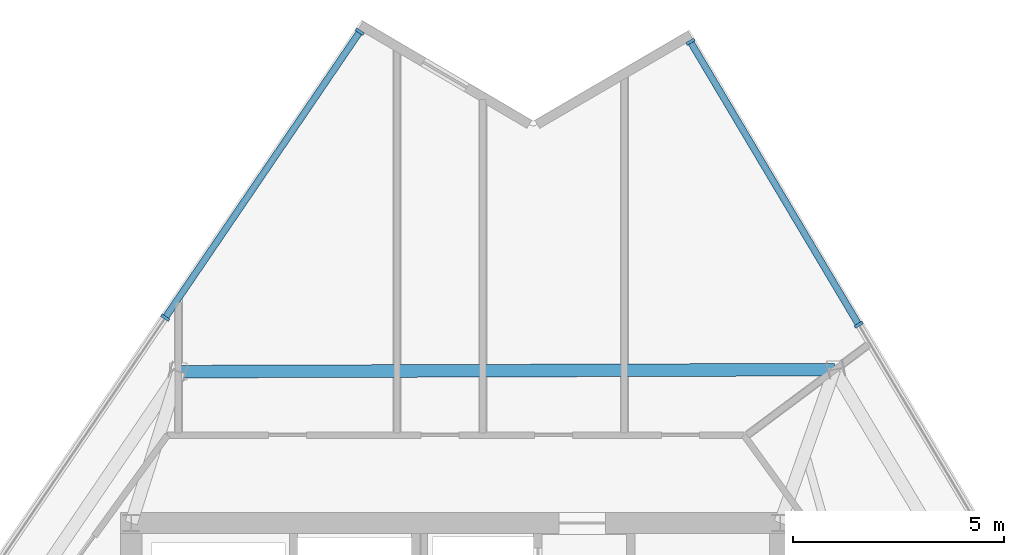
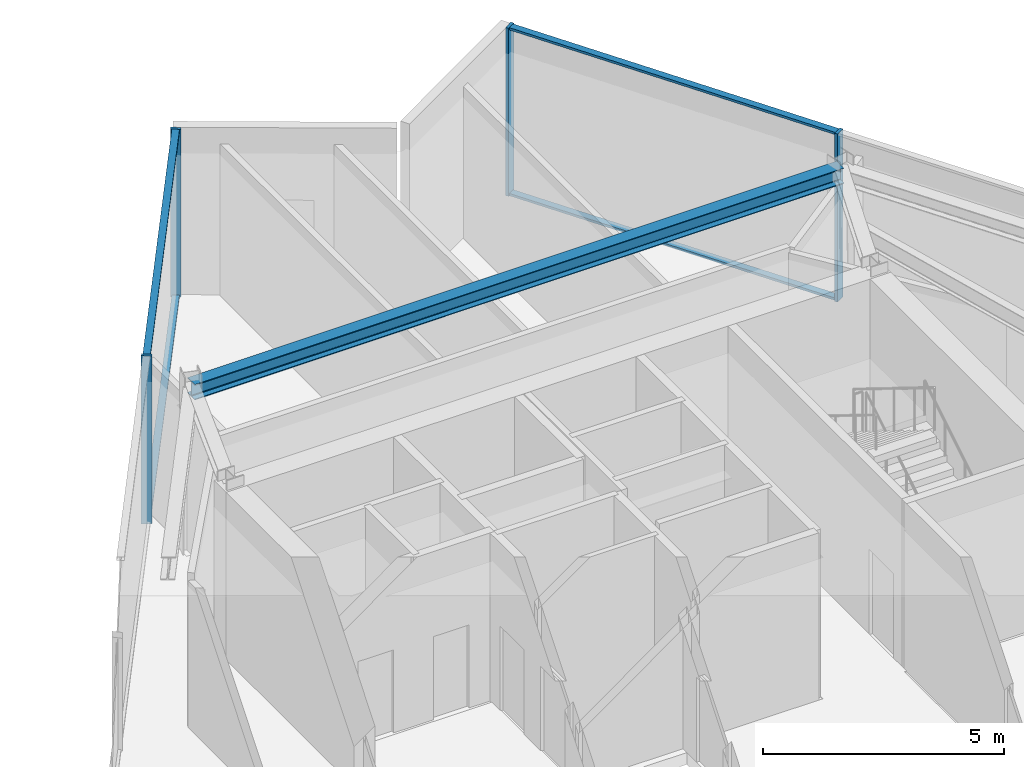
# One storey, part 5 of 13: 8 members, 1 beam, 2 elements without a shape of their own.
"""IFC4 building model written with IfcOpenShell, lengths in metres."""

from ifc_helpers import new_model, si_unit, direction, frame, origin, origin_2d, place, context, subcontext, project, spatial, rectangle, i_section, extrude, material, material_profile, profile_set, type_object, element, aggregate, save


model = new_model("IFC4")

# Units and contexts
model_context = context("Model", 3, precision=1e-05, world=origin(), true_north=direction((0.0, 1.0)))
body_context = subcontext(model_context, "Body", "Model", "MODEL_VIEW")
ifc_project = project(units=[si_unit("LENGTHUNIT", "METRE"), si_unit("AREAUNIT", "SQUARE_METRE"), si_unit("VOLUMEUNIT", "CUBIC_METRE"), si_unit("PLANEANGLEUNIT", "RADIAN"), si_unit("MASSUNIT", "GRAM", prefix="KILO")], contexts=[model_context])

# Site, building, storey
site_placement = place(None, origin())
site = spatial("IfcSite", under=ifc_project, at=site_placement, CompositionType="ELEMENT")
building_placement = place(site_placement, origin())
building = spatial("IfcBuilding", under=site, at=building_placement, Name="Savorim Split Tower", CompositionType="ELEMENT")
storey_placement = place(building_placement, frame((0.0, 0.0, 190.199951171875)))
storey = spatial("IfcBuildingStorey", under=building, at=storey_placement, Name="L50", CompositionType="ELEMENT", Elevation=190.199951171875)

# Beam
ifc_material_1 = material(Name="Steel S355", Category="steel")
ifc_material_profile_1 = material_profile(ifc_material_1, i_section(OverallWidth=0.300048828125, OverallDepth=0.389892578125, WebThickness=0.010986328125, FlangeThickness=0.01904296875, FilletRadius=0.027099609375, at=origin_2d()), Name="HEA 400")
ifc_profile_set_1 = profile_set([ifc_material_profile_1], Name="Steel S355")
beam_type = type_object("IfcBeamType", Name="BM-SPN-HEA400", PredefinedType="SPANDREL", material=ifc_profile_set_1)
beam_placement = place(storey_placement, frame((8.98388671875, 13.83837890625, 4.054931640625), z_axis=(-0.99999507004, -0.003140047007, 0.0), x_axis=(0.003140047007, -0.99999507004, 0.0)))
element("IfcBeam", 1, at=beam_placement, inside=storey, type_object=beam_type, Name="L50 Perimeter Spandrel Beam 7", PredefinedType="SPANDREL", context=body_context, shape_type="SweptSolid", body=[
    extrude(i_section(OverallWidth=0.300048828125, OverallDepth=0.389892578125, WebThickness=0.010986328125, FlangeThickness=0.01904296875, FilletRadius=0.027099609375, at=origin_2d()), origin(), (0.0, 0.0, 1.0), 15.550048828125),
])

# Curtain wall, members
ifc_material_2 = material(Name="Dark Ceramic-Fritted Insulated Glass", Category="glass")
curtain_wall_type = type_object("IfcCurtainWallType", Name="CW-SKY-ATRIUM", PredefinedType="NOTDEFINED", material=ifc_material_2)
curtain_wall_1_placement = place(storey_placement, origin())
curtain_wall_1 = element("IfcCurtainWall", 2, at=curtain_wall_1_placement, inside=storey, type_object=curtain_wall_type, Name="L50 Curtain Wall CW-L50-EAST", PredefinedType="NOTDEFINED")
ifc_material_3 = material(Name="Charcoal Anodised Aluminium", Category="aluminium")
ifc_material_profile_2 = material_profile(ifc_material_3, rectangle(XDim=0.219970703125, YDim=0.070068359375, at=origin_2d()), Name="ALU-M 220x70")
ifc_profile_set_2 = profile_set([ifc_material_profile_2], Name="Charcoal Anodised Aluminium")
member_type_1 = type_object("IfcMemberType", Name="CWM-220x70", PredefinedType="MULLION", material=ifc_profile_set_2)
member_1_placement = place(storey_placement, frame((9.56103515625, 14.90283203125, 0.0), z_axis=(0.0, 0.0, 1.0), x_axis=(-0.859525931116, -0.511092138209, 0.0)))
member_1 = element("IfcMember", 3, at=member_1_placement, type_object=member_type_1, Name="CW-05 mullion 5", PredefinedType="MULLION", context=body_context, shape_type="SweptSolid", body=[
    extrude(rectangle(XDim=0.219970703125, YDim=0.070068359375, at=origin_2d()), origin(), (0.0, 0.0, 1.0), 4.25),
])
member_2_placement = place(storey_placement, frame((5.56884765625, 21.61669921875, 0.0), z_axis=(0.0, 0.0, 1.0), x_axis=(-0.859525931116, -0.511092138209, 0.0)))
member_2 = element("IfcMember", 4, at=member_2_placement, type_object=member_type_1, Name="CW-05 mullion 6", PredefinedType="MULLION", context=body_context, shape_type="SweptSolid", body=[
    extrude(rectangle(XDim=0.219970703125, YDim=0.070068359375, at=origin_2d()), origin(), (0.0, 0.0, 1.0), 4.25),
])

curtain_wall_2_placement = place(storey_placement, origin())
curtain_wall_2 = element("IfcCurtainWall", 5, at=curtain_wall_2_placement, inside=storey, type_object=curtain_wall_type, Name="L50 Curtain Wall CW-L50-WEST", PredefinedType="NOTDEFINED")
member_3_placement = place(storey_placement, frame((-2.277099609375, 21.855712890625, 0.0), z_axis=(0.0, 0.0, 1.0), x_axis=(0.826820328821, -0.562466126845, 0.0)))
member_3 = element("IfcMember", 6, at=member_3_placement, type_object=member_type_1, Name="CW-05 mullion 1", PredefinedType="MULLION", context=body_context, shape_type="SweptSolid", body=[
    extrude(rectangle(XDim=0.219970703125, YDim=0.070068359375, at=origin_2d()), origin(), (0.0, 0.0, 1.0), 4.25),
])
member_4_placement = place(storey_placement, frame((-6.89306640625, 15.0703125, 0.0), z_axis=(0.0, 0.0, 1.0), x_axis=(0.826820328821, -0.562466126845, 0.0)))
member_4 = element("IfcMember", 7, at=member_4_placement, type_object=member_type_1, Name="CW-05 mullion 2", PredefinedType="MULLION", context=body_context, shape_type="SweptSolid", body=[
    extrude(rectangle(XDim=0.219970703125, YDim=0.070068359375, at=origin_2d()), origin(), (0.0, 0.0, 1.0), 4.25),
])

# Member
ifc_material_profile_3 = material_profile(ifc_material_3, rectangle(XDim=0.159912109375, YDim=0.06005859375, at=origin_2d()), Name="ALU-T 160x60")
ifc_profile_set_3 = profile_set([ifc_material_profile_3], Name="Charcoal Anodised Aluminium")
member_type_2 = type_object("IfcMemberType", Name="CWT-160x60", PredefinedType="USERDEFINED", material=ifc_profile_set_3)
member_5_placement = place(storey_placement, frame((9.543212890625, 14.932861328125, 0.030029296875), z_axis=(-0.511110658222, 0.859514918458, 0.0), x_axis=(-0.859514918458, -0.511110658222, 0.0)))
member_5 = element("IfcMember", 8, at=member_5_placement, type_object=member_type_2, Name="CW-05 transom 5.1", ObjectType="TRANSOM", PredefinedType="USERDEFINED", context=body_context, shape_type="SweptSolid", body=[
    extrude(rectangle(XDim=0.159912109375, YDim=0.06005859375, at=origin_2d()), origin(), (0.0, 0.0, 1.0), 7.740966796875),
])

member_6_placement = place(storey_placement, frame((9.543212890625, 14.932861328125, 4.219970703125), z_axis=(-0.511110658222, 0.859514918458, 0.0), x_axis=(-0.859514918458, -0.511110658222, 0.0)))
member_6 = element("IfcMember", 9, at=member_6_placement, type_object=member_type_2, Name="CW-05 transom 5.2", ObjectType="TRANSOM", PredefinedType="USERDEFINED", context=body_context, shape_type="SweptSolid", body=[
    extrude(rectangle(XDim=0.159912109375, YDim=0.06005859375, at=origin_2d()), origin(), (0.0, 0.0, 1.0), 7.740966796875),
])

aggregate(curtain_wall_1, [member_1, member_2, member_5, member_6])

member_7_placement = place(storey_placement, frame((-2.296875, 21.82666015625, 0.030029296875), z_axis=(-0.562451997291, -0.826829940643, 0.0), x_axis=(0.826829940643, -0.562451997291, 0.0)))
member_7 = element("IfcMember", 10, at=member_7_placement, type_object=member_type_2, Name="CW-05 transom 1.1", ObjectType="TRANSOM", PredefinedType="USERDEFINED", context=body_context, shape_type="SweptSolid", body=[
    extrude(rectangle(XDim=0.159912109375, YDim=0.06005859375, at=origin_2d()), origin(), (0.0, 0.0, 1.0), 8.136474609375),
])

member_8_placement = place(storey_placement, frame((-2.296875, 21.82666015625, 4.219970703125), z_axis=(-0.562451997291, -0.826829940643, 0.0), x_axis=(0.826829940643, -0.562451997291, 0.0)))
member_8 = element("IfcMember", 11, at=member_8_placement, type_object=member_type_2, Name="CW-05 transom 1.2", ObjectType="TRANSOM", PredefinedType="USERDEFINED", context=body_context, shape_type="SweptSolid", body=[
    extrude(rectangle(XDim=0.159912109375, YDim=0.06005859375, at=origin_2d()), origin(), (0.0, 0.0, 1.0), 8.136474609375),
])

aggregate(curtain_wall_2, [member_3, member_4, member_7, member_8])

save(model, "model.ifc")
